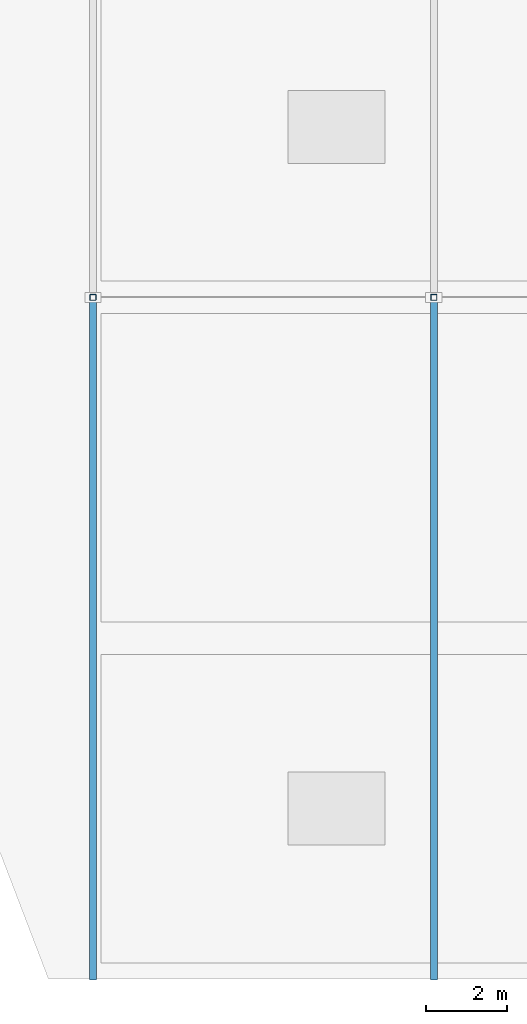
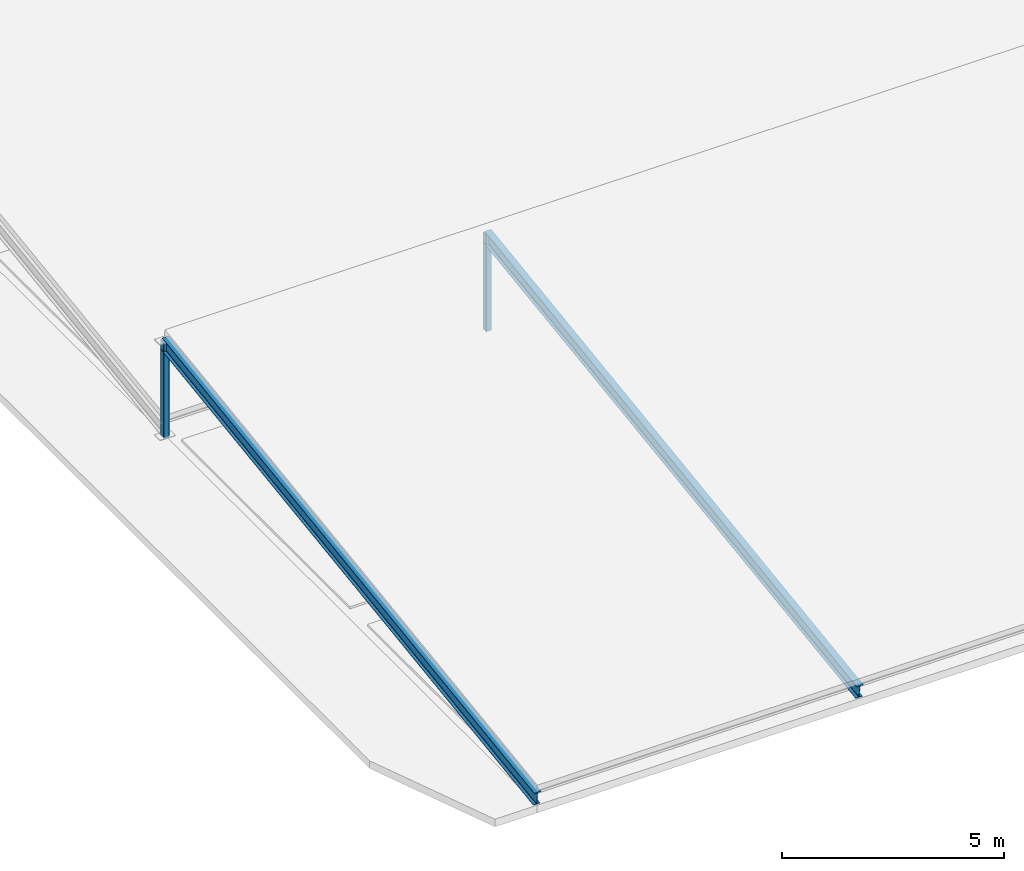
# One storey, part 1 of 12: 2 beams, 2 members.
"""IFC4 building model written with IfcOpenShell, lengths in metres."""

from ifc_helpers import new_model, si_unit, direction, frame, origin, origin_2d, place, context, subcontext, project, spatial, hollow_rectangle, i_section, extrude, material, material_profile, profile_set, type_object, element, save


model = new_model("IFC4")

# Units and contexts
model_context = context("Model", 3, precision=1e-05, world=origin(), true_north=direction((0.0, 1.0)))
body_context = subcontext(model_context, "Body", "Model", "MODEL_VIEW")
ifc_project = project(units=[si_unit("LENGTHUNIT", "METRE"), si_unit("AREAUNIT", "SQUARE_METRE"), si_unit("VOLUMEUNIT", "CUBIC_METRE"), si_unit("PLANEANGLEUNIT", "RADIAN"), si_unit("MASSUNIT", "GRAM", prefix="KILO")], contexts=[model_context])

# Site, building, storey
site_placement = place(None, origin())
site = spatial("IfcSite", under=ifc_project, at=site_placement, CompositionType="ELEMENT")
building_placement = place(site_placement, origin())
building = spatial("IfcBuilding", under=site, at=building_placement, Name="Varnapada Polytechnic", CompositionType="ELEMENT")
storey_placement = place(building_placement, frame((0.0, 0.0, 30.60009765625)))
storey = spatial("IfcBuildingStorey", under=building, at=storey_placement, Name="Roof", CompositionType="ELEMENT", Elevation=30.60009765625)

# Members
ifc_material = material(Name="Steel S355", Category="steel")
ifc_material_profile_1 = material_profile(ifc_material, hollow_rectangle(XDim=0.14990234375, YDim=0.14990234375, WallThickness=0.00634765625, InnerFilletRadius=0.006103515625, OuterFilletRadius=0.011962890625, at=origin_2d()), Name="SHS 150x150x6.3")
ifc_profile_set_1 = profile_set([ifc_material_profile_1], Name="Steel S355")
member_type = type_object("IfcMemberType", Name="Sawtooth north-light mullion post SFP-02 (SHS 150x150x6.3)", PredefinedType="POST", material=ifc_profile_set_1)
for number, where, z_axis, x_axis, name in (
    (1, (0.0, 75.60009765625, -0.02001953125), (0.0, 0.0, 1.0), (1.0, 0.0, 0.0), "Studio sawtooth north-light post 1.1"),
    (2, (8.39990234375, 75.60009765625, -0.02001953125), (0.0, 0.0, 1.0), (1.0, 0.0, 0.0), "Studio sawtooth north-light post 1.2"),
):
    element("IfcMember", number, at=place(storey_placement, frame(where, z_axis=z_axis, x_axis=x_axis)), inside=storey, type_object=member_type, Name=name, PredefinedType="POST", context=body_context, shape_type="SweptSolid", body=[
        extrude(hollow_rectangle(XDim=0.14990234375, YDim=0.14990234375, WallThickness=0.00634765625, InnerFilletRadius=0.006103515625, OuterFilletRadius=0.011962890625, at=origin_2d()), origin(), (0.0, 0.0, 1.0), 2.64990234375),
    ])

# Beams
ifc_material_profile_2 = material_profile(ifc_material, i_section(OverallWidth=0.169921875, OverallDepth=0.360107421875, WebThickness=0.008056640625, FlangeThickness=0.0126953125, FilletRadius=0.01806640625, at=origin_2d()), Name="IPE 360")
ifc_profile_set_2 = profile_set([ifc_material_profile_2], Name="Steel S355")
beam_type = type_object("IfcBeamType", Name="Sawtooth studio roof rafter SB-03 (IPE 360)", PredefinedType="BEAM", material=ifc_profile_set_2)
for number, where, z_axis, x_axis, name in (
    (3, (0.0, 58.800048828125, 0.18994140625), (0.0, 0.990278055144, 0.139102025504), (-1.0, 0.0, 0.0), "Studio sawtooth rafter 1.1"),
    (4, (8.39990234375, 58.800048828125, 0.18994140625), (0.0, 0.990278055144, 0.139102025504), (-1.0, 0.0, 0.0), "Studio sawtooth rafter 1.2"),
):
    element("IfcBeam", number, at=place(storey_placement, frame(where, z_axis=z_axis, x_axis=x_axis)), inside=storey, type_object=beam_type, Name=name, PredefinedType="BEAM", context=body_context, shape_type="SweptSolid", body=[
        extrude(i_section(OverallWidth=0.169921875, OverallDepth=0.360107421875, WebThickness=0.008056640625, FlangeThickness=0.0126953125, FilletRadius=0.01806640625, at=origin_2d()), origin(), (0.0, 0.0, 1.0), 16.965087890625),
    ])

save(model, "model.ifc")
